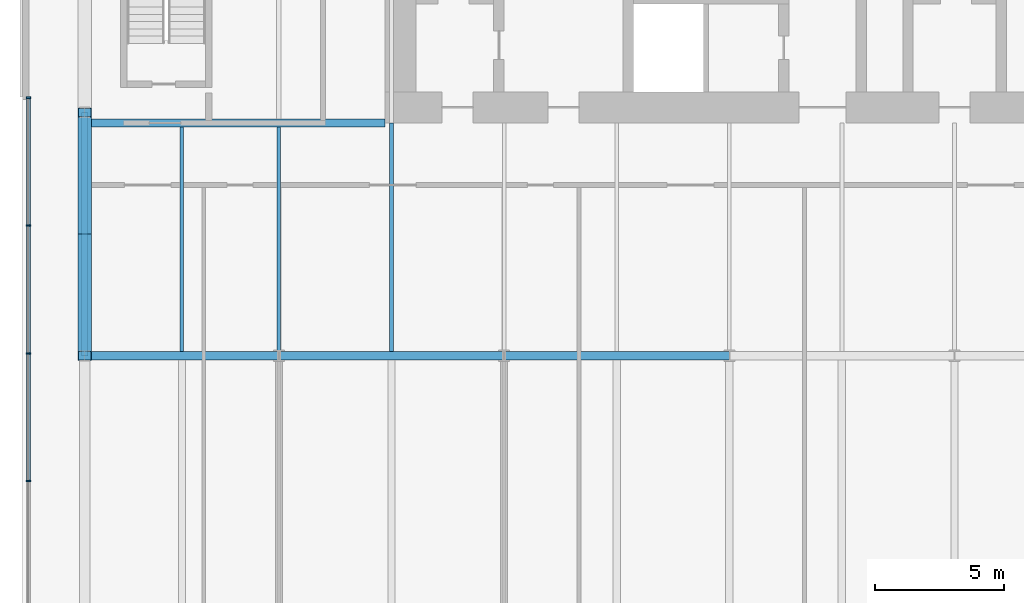
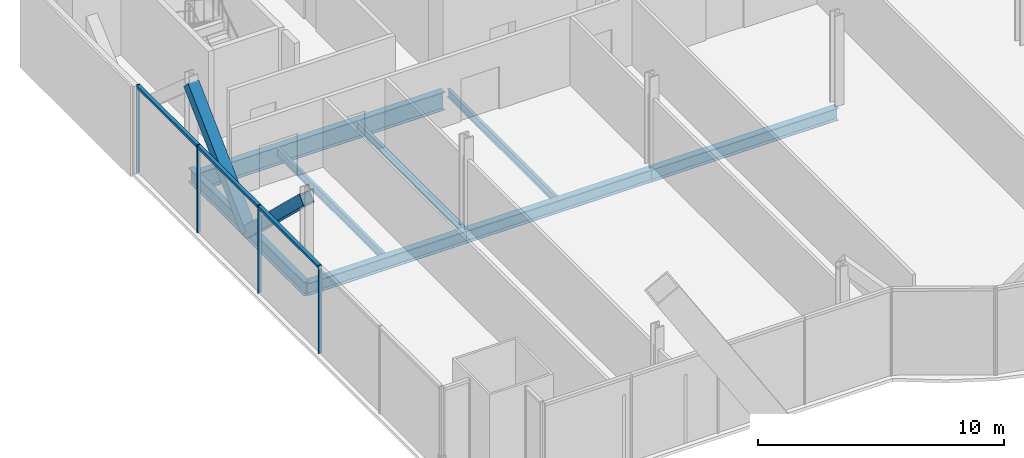
# One storey, part 6 of 22: 9 members, 8 beams, 1 element without a shape of its own.
"""IFC4 building model written with IfcOpenShell, lengths in metres."""

from ifc_helpers import new_model, si_unit, direction, frame, origin, origin_2d, place, context, subcontext, project, spatial, rectangle, hollow_rectangle, i_section, extrude, material, material_profile, profile_set, type_object, element, aggregate, save


model = new_model("IFC4")

# Units and contexts
model_context = context("Model", 3, precision=1e-05, world=origin(), true_north=direction((0.0, 1.0)))
body_context = subcontext(model_context, "Body", "Model", "MODEL_VIEW")
ifc_project = project(units=[si_unit("LENGTHUNIT", "METRE"), si_unit("AREAUNIT", "SQUARE_METRE"), si_unit("VOLUMEUNIT", "CUBIC_METRE"), si_unit("PLANEANGLEUNIT", "RADIAN"), si_unit("MASSUNIT", "GRAM", prefix="KILO")], contexts=[model_context])

# Site, building, storey
site_placement = place(None, origin())
site = spatial("IfcSite", under=ifc_project, at=site_placement, CompositionType="ELEMENT")
building_placement = place(site_placement, origin())
building = spatial("IfcBuilding", under=site, at=building_placement, Name="Bicima Exchange Tower", CompositionType="ELEMENT")
storey_placement = place(building_placement, frame((0.0, 0.0, 71.0)))
storey = spatial("IfcBuildingStorey", under=building, at=storey_placement, Name="L14", CompositionType="ELEMENT", Elevation=71.0)

# Beam
ifc_material_1 = material(Name="Steel ASTM A992 Gr 50", Category="steel")
ifc_material_profile_1 = material_profile(ifc_material_1, i_section(OverallWidth=0.3046875, OverallDepth=0.911865234375, WebThickness=0.015869140625, FlangeThickness=0.02392578125, at=origin_2d()))
ifc_profile_set_1 = profile_set([ifc_material_profile_1], Name="Steel ASTM A992 Gr 50")
beam_type_1 = type_object("IfcBeamType", Name="Core-line girder W36x150", PredefinedType="BEAM", material=ifc_profile_set_1)
beam_1_placement = place(storey_placement, frame((-22.0, -13.0, -0.60595703125), z_axis=(-1.0, 0.0, 0.0), x_axis=(0.0, -1.0, 0.0)))
element("IfcBeam", 1, at=beam_1_placement, inside=storey, type_object=beam_type_1, Name="Core-line girder", PredefinedType="BEAM", context=body_context, shape_type="SweptSolid", body=[
    extrude(i_section(OverallWidth=0.3046875, OverallDepth=0.911865234375, WebThickness=0.015869140625, FlangeThickness=0.02392578125, at=origin_2d()), origin(), (0.0, 0.0, 1.0), 11.60009765625),
])

# Curtain wall, members
ifc_material_2 = material(Name="Anodised bronze aluminium", Category="aluminium")
curtain_wall_type = type_object("IfcCurtainWallType", Name="End face glass wall", PredefinedType="NOTDEFINED", material=ifc_material_2)
curtain_wall_placement = place(storey_placement, origin())
curtain_wall = element("IfcCurtainWall", 2, at=curtain_wall_placement, inside=storey, type_object=curtain_wall_type, Name="End face glass wall L14 run 2", PredefinedType="NOTDEFINED")
ifc_material_profile_2 = material_profile(ifc_material_2, rectangle(XDim=0.159912109375, YDim=0.06005859375, at=origin_2d()))
ifc_profile_set_2 = profile_set([ifc_material_profile_2], Name="Anodised bronze aluminium")
member_type_1 = type_object("IfcMemberType", Name="End face glass wall mullion 60 x 160", PredefinedType="MULLION", material=ifc_profile_set_2)
member_1_placement = place(storey_placement, frame((-35.77001953125, -12.030029296875, 0.0), z_axis=(0.0, 0.0, 1.0), x_axis=(1.0, 0.0, 0.0)))
member_1 = element("IfcMember", 3, at=member_1_placement, type_object=member_type_1, Name="End face glass wall mullion 1", PredefinedType="MULLION", context=body_context, shape_type="SweptSolid", body=[
    extrude(rectangle(XDim=0.159912109375, YDim=0.06005859375, at=origin_2d()), origin(), (0.0, 0.0, 1.0), 4.35009765625),
])
member_2_placement = place(storey_placement, frame((-35.77001953125, -16.965576171875, 0.0), z_axis=(0.0, 0.0, 1.0), x_axis=(1.0, 0.0, 0.0)))
member_2 = element("IfcMember", 4, at=member_2_placement, type_object=member_type_1, Name="End face glass wall mullion 2", PredefinedType="MULLION", context=body_context, shape_type="SweptSolid", body=[
    extrude(rectangle(XDim=0.159912109375, YDim=0.06005859375, at=origin_2d()), origin(), (0.0, 0.0, 1.0), 4.35009765625),
])
member_3_placement = place(storey_placement, frame((-35.77001953125, -21.901123046875, 0.0), z_axis=(0.0, 0.0, 1.0), x_axis=(1.0, 0.0, 0.0)))
member_3 = element("IfcMember", 5, at=member_3_placement, type_object=member_type_1, Name="End face glass wall mullion 3", PredefinedType="MULLION", context=body_context, shape_type="SweptSolid", body=[
    extrude(rectangle(XDim=0.159912109375, YDim=0.06005859375, at=origin_2d()), origin(), (0.0, 0.0, 1.0), 4.35009765625),
])
member_4_placement = place(storey_placement, frame((-35.77001953125, -26.8369140625, 0.0), z_axis=(0.0, 0.0, 1.0), x_axis=(1.0, 0.0, 0.0)))
member_4 = element("IfcMember", 6, at=member_4_placement, type_object=member_type_1, Name="End face glass wall mullion 4", PredefinedType="MULLION", context=body_context, shape_type="SweptSolid", body=[
    extrude(rectangle(XDim=0.159912109375, YDim=0.06005859375, at=origin_2d()), origin(), (0.0, 0.0, 1.0), 4.35009765625),
])
ifc_material_profile_3 = material_profile(ifc_material_2, rectangle(XDim=0.159912109375, YDim=0.139892578125, at=origin_2d()))
ifc_profile_set_3 = profile_set([ifc_material_profile_3], Name="Anodised bronze aluminium")
member_type_2 = type_object("IfcMemberType", Name="End face glass wall transom 140 x 160", PredefinedType="USERDEFINED", material=ifc_profile_set_3)
member_5_placement = place(storey_placement, frame((-35.77001953125, -12.06005859375, 4.280029296875), z_axis=(0.0, -1.0, 0.0), x_axis=(1.0, 0.0, 0.0)))
member_5 = element("IfcMember", 7, at=member_5_placement, type_object=member_type_2, Name="End face glass wall transom 1.1", ObjectType="TRANSOM", PredefinedType="USERDEFINED", context=body_context, shape_type="SweptSolid", body=[
    extrude(rectangle(XDim=0.159912109375, YDim=0.139892578125, at=origin_2d()), origin(), (0.0, 0.0, 1.0), 4.87548828125),
])
member_6_placement = place(storey_placement, frame((-35.77001953125, -16.99560546875, 4.280029296875), z_axis=(0.0, -1.0, 0.0), x_axis=(1.0, 0.0, 0.0)))
member_6 = element("IfcMember", 8, at=member_6_placement, type_object=member_type_2, Name="End face glass wall transom 2.1", ObjectType="TRANSOM", PredefinedType="USERDEFINED", context=body_context, shape_type="SweptSolid", body=[
    extrude(rectangle(XDim=0.159912109375, YDim=0.139892578125, at=origin_2d()), origin(), (0.0, 0.0, 1.0), 4.87548828125),
])
member_7_placement = place(storey_placement, frame((-35.77001953125, -21.93115234375, 4.280029296875), z_axis=(0.0, -1.0, 0.0), x_axis=(1.0, 0.0, 0.0)))
member_7 = element("IfcMember", 9, at=member_7_placement, type_object=member_type_2, Name="End face glass wall transom 3.1", ObjectType="TRANSOM", PredefinedType="USERDEFINED", context=body_context, shape_type="SweptSolid", body=[
    extrude(rectangle(XDim=0.159912109375, YDim=0.139892578125, at=origin_2d()), origin(), (0.0, 0.0, 1.0), 4.875732421875),
])
aggregate(curtain_wall, [member_1, member_2, member_3, member_4, member_5, member_6, member_7])

# Beams
ifc_material_profile_4 = material_profile(ifc_material_1, i_section(OverallWidth=0.256591796875, OverallDepth=0.693359375, WebThickness=0.014404296875, FlangeThickness=0.023681640625, at=origin_2d()))
ifc_profile_set_4 = profile_set([ifc_material_profile_4], Name="Steel ASTM A992 Gr 50")
beam_type_2 = type_object("IfcBeamType", Name="End girder W27x114", PredefinedType="BEAM", material=ifc_profile_set_4)
beam_2_placement = place(storey_placement, frame((-33.60009765625, -12.60009765625, -0.49658203125), z_axis=(0.0, -1.0, 0.0), x_axis=(1.0, 0.0, 0.0)))
element("IfcBeam", 10, at=beam_2_placement, inside=storey, type_object=beam_type_2, Name="End girder", PredefinedType="BEAM", context=body_context, shape_type="SweptSolid", body=[
    extrude(i_section(OverallWidth=0.256591796875, OverallDepth=0.693359375, WebThickness=0.014404296875, FlangeThickness=0.023681640625, at=origin_2d()), origin(), (0.0, 0.0, 1.0), 9.39990234375),
])
ifc_material_profile_5 = material_profile(ifc_material_1, i_section(OverallWidth=0.140380859375, OverallDepth=0.40380859375, WebThickness=0.007080078125, FlangeThickness=0.01123046875, at=origin_2d()))
ifc_profile_set_5 = profile_set([ifc_material_profile_5], Name="Steel ASTM A992 Gr 50")
beam_type_3 = type_object("IfcBeamType", Name="Floor beam W16x31", PredefinedType="JOIST", material=ifc_profile_set_5)
for number, where, z_axis, x_axis, name in (
    (11, (-29.85009765625, -13.15234375, -0.351806640625), (0.0, -1.0, 0.0), (1.0, 0.0, 0.0), "Floor beam"),
    (12, (-26.10009765625, -13.15234375, -0.351806640625), (0.0, -1.0, 0.0), (1.0, 0.0, 0.0), "Floor beam"),
):
    element("IfcBeam", number, at=place(storey_placement, frame(where, z_axis=z_axis, x_axis=x_axis)), inside=storey, type_object=beam_type_3, Name=name, PredefinedType="JOIST", context=body_context, shape_type="SweptSolid", body=[
        extrude(i_section(OverallWidth=0.140380859375, OverallDepth=0.40380859375, WebThickness=0.007080078125, FlangeThickness=0.01123046875, at=origin_2d()), origin(), (0.0, 0.0, 1.0), 8.68505859375),
    ])
beam_3_placement = place(storey_placement, frame((-21.75, -13.0, -0.351806640625), z_axis=(0.0, -1.0, 0.0), x_axis=(1.0, 0.0, 0.0)))
element("IfcBeam", 13, at=beam_3_placement, inside=storey, type_object=beam_type_3, Name="Floor beam", PredefinedType="JOIST", context=body_context, shape_type="SweptSolid", body=[
    extrude(i_section(OverallWidth=0.140380859375, OverallDepth=0.40380859375, WebThickness=0.007080078125, FlangeThickness=0.01123046875, at=origin_2d()), origin(), (0.0, 0.0, 1.0), 8.83740234375),
])

# Members
ifc_material_3 = material(Name="Steel ASTM A572 Gr 50", Category="steel")
ifc_material_profile_6 = material_profile(ifc_material_3, hollow_rectangle(XDim=0.508056640625, YDim=0.508056640625, WallThickness=0.017822265625, at=origin_2d()))
ifc_profile_set_6 = profile_set([ifc_material_profile_6], Name="Steel ASTM A572 Gr 50")
member_type_3 = type_object("IfcMemberType", Name="Mega brace HSS20x20x3/4", PredefinedType="BRACE", material=ifc_profile_set_6)
for number, where, z_axis, x_axis, name in (
    (14, (-33.60009765625, -17.300048828125, -0.49658203125), (0.0, -0.722304421208, 0.691575247608), (1.0, 0.0, 0.0), "Mega brace west end"),
    (15, (-33.60009765625, -17.300048828125, -0.49658203125), (0.0, 0.722304421208, 0.691575247608), (-1.0, 0.0, 0.0), "Mega brace west end"),
):
    element("IfcMember", number, at=place(storey_placement, frame(where, z_axis=z_axis, x_axis=x_axis)), inside=storey, type_object=member_type_3, Name=name, PredefinedType="BRACE", context=body_context, shape_type="SweptSolid", body=[
        extrude(hollow_rectangle(XDim=0.508056640625, YDim=0.508056640625, WallThickness=0.017822265625, at=origin_2d()), origin(), (0.0, 0.0, 1.0), 6.5068359375),
    ])

# Beams
ifc_material_profile_7 = material_profile(ifc_material_1, i_section(OverallWidth=0.3251953125, OverallDepth=0.612060546875, WebThickness=0.0126953125, FlangeThickness=0.01904296875, at=origin_2d()))
ifc_profile_set_7 = profile_set([ifc_material_profile_7], Name="Steel ASTM A992 Gr 50")
beam_type_4 = type_object("IfcBeamType", Name="Row girder W24x104", PredefinedType="BEAM", material=ifc_profile_set_7)
beam_4_placement = place(storey_placement, frame((-33.60009765625, -22.0, -0.4560546875), z_axis=(1.0, 0.0, 0.0), x_axis=(0.0, 1.0, 0.0)))
element("IfcBeam", 16, at=beam_4_placement, inside=storey, type_object=beam_type_4, Name="Row girder", PredefinedType="BEAM", context=body_context, shape_type="SweptSolid", body=[
    extrude(i_section(OverallWidth=0.3251953125, OverallDepth=0.612060546875, WebThickness=0.0126953125, FlangeThickness=0.01904296875, at=origin_2d()), origin(), (0.0, 0.0, 1.0), 7.5),
])
beam_5_placement = place(storey_placement, frame((-26.10009765625, -22.0, -0.4560546875), z_axis=(1.0, 0.0, 0.0), x_axis=(0.0, 1.0, 0.0)))
element("IfcBeam", 17, at=beam_5_placement, inside=storey, type_object=beam_type_4, Name="Row girder", PredefinedType="BEAM", context=body_context, shape_type="SweptSolid", body=[
    extrude(i_section(OverallWidth=0.3251953125, OverallDepth=0.612060546875, WebThickness=0.0126953125, FlangeThickness=0.01904296875, at=origin_2d()), origin(), (0.0, 0.0, 1.0), 8.7001953125),
])
beam_6_placement = place(storey_placement, frame((-17.39990234375, -22.0, -0.4560546875), z_axis=(1.0, 0.0, 0.0), x_axis=(0.0, 1.0, 0.0)))
element("IfcBeam", 18, at=beam_6_placement, inside=storey, type_object=beam_type_4, Name="Row girder", PredefinedType="BEAM", context=body_context, shape_type="SweptSolid", body=[
    extrude(i_section(OverallWidth=0.3251953125, OverallDepth=0.612060546875, WebThickness=0.0126953125, FlangeThickness=0.01904296875, at=origin_2d()), origin(), (0.0, 0.0, 1.0), 8.699951171875),
])

save(model, "model.ifc")
